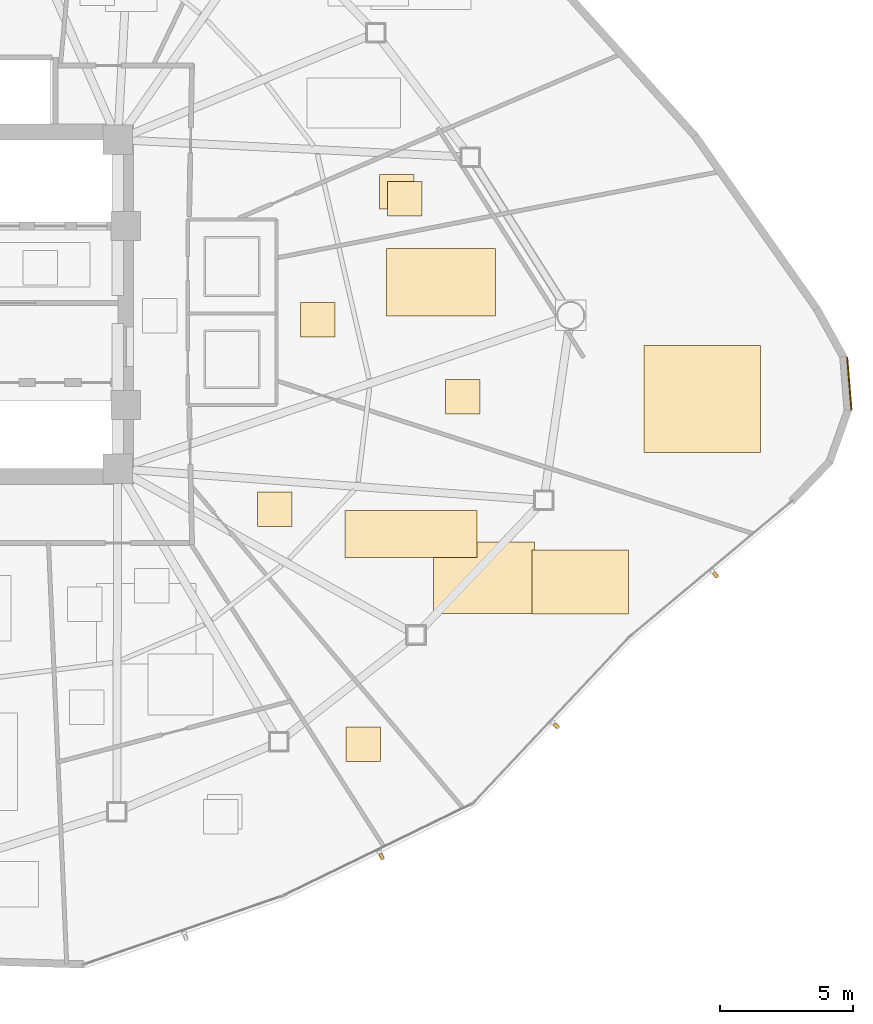
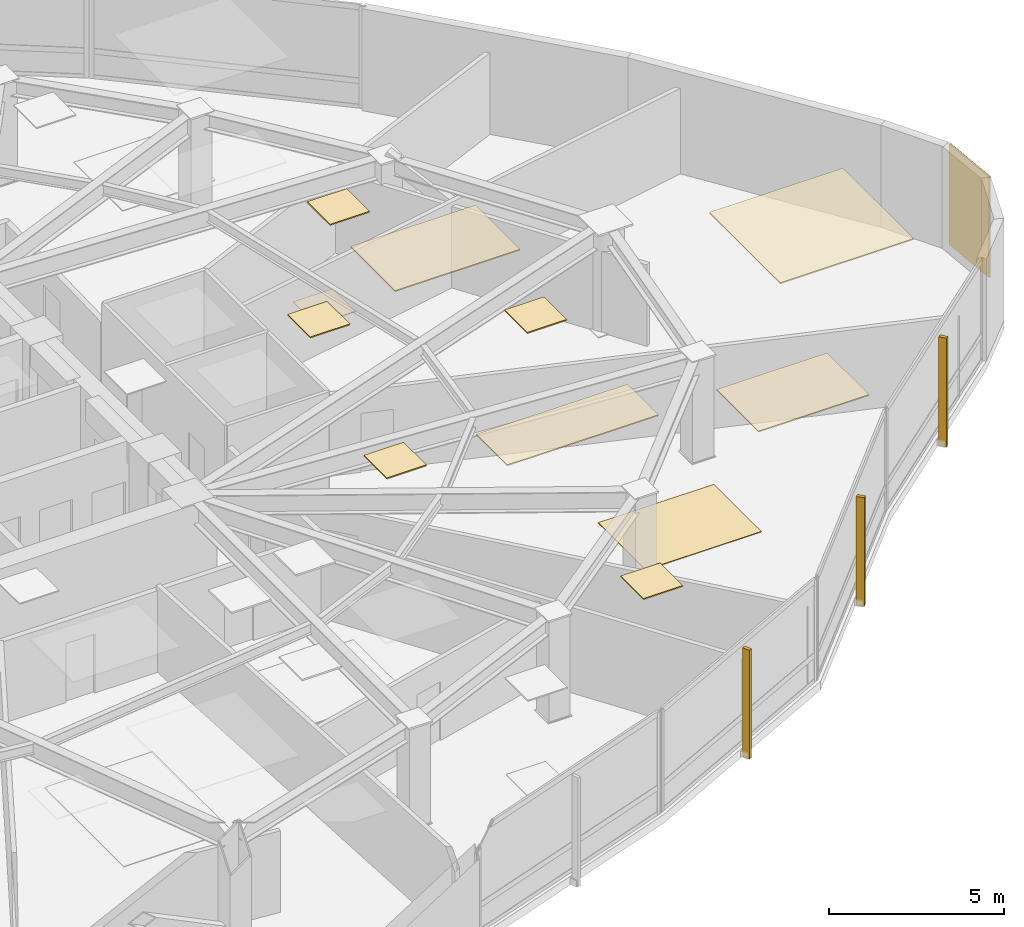
# One storey, part 16 of 17: 12 coverings, 3 shading devices.
"""IFC4 building model written with IfcOpenShell, lengths in metres."""

from ifc_helpers import new_model, si_unit, direction, frame, origin, origin_2d, place, context, subcontext, project, spatial, polyline, rectangle, outline, extrude, source, transform, mapped, material, layer, layer_set, type_object, type_shapes, element, save


model = new_model("IFC4")

# Units and contexts
model_context = context("Model", 3, precision=1e-05, world=origin(), true_north=direction((0.0, 1.0)))
body_context = subcontext(model_context, "Body", "Model", "MODEL_VIEW")
ifc_project = project(units=[si_unit("LENGTHUNIT", "METRE"), si_unit("AREAUNIT", "SQUARE_METRE"), si_unit("VOLUMEUNIT", "CUBIC_METRE"), si_unit("PLANEANGLEUNIT", "RADIAN"), si_unit("MASSUNIT", "GRAM", prefix="KILO")], contexts=[model_context])

# Site, building, storey
site_placement = place(None, origin())
site = spatial("IfcSite", under=ifc_project, at=site_placement, CompositionType="ELEMENT")
building_placement = place(site_placement, origin())
building = spatial("IfcBuilding", under=site, at=building_placement, Name="Tavelor Broadcast Tower", CompositionType="ELEMENT")
storey_placement = place(building_placement, frame((0.0, 0.0, 127.14990234375)))
storey = spatial("IfcBuildingStorey", under=building, at=storey_placement, Name="L29", CompositionType="ELEMENT", Elevation=127.14990234375)

# Coverings
ifc_material_1 = material(Name="Copper-Bronze Anodized Aluminium", Category="aluminium")
ifc_layer_1 = layer(ifc_material_1, 0.050048828125)
ifc_layer_set_1 = layer_set([ifc_layer_1], Name="Copper-Bronze Anodized Aluminium")
covering_type_1 = type_object("IfcCoveringType", Name="Champagne-Bronze Corner Pier Metal Cladding 50 mm", PredefinedType="CLADDING", material=ifc_layer_set_1)
covering_1_placement = place(storey_placement, frame((84.175537109375, 42.00927734375, 0.02001953125), z_axis=(0.0, 0.0, 1.0), x_axis=(-0.081068747348, 0.996708512156, 0.0)))
element("IfcCovering", 1, at=covering_1_placement, inside=storey, type_object=covering_type_1, Name="L29 Champagne-Bronze Corner Cladding 23", PredefinedType="CLADDING", context=body_context, shape_type="SweptSolid", body=[
    extrude(rectangle(XDim=1.998291015625, YDim=0.050048828125, at=origin_2d()), origin(), (0.0, 0.0, 1.0), 3.510009765625),
])
ifc_material_2 = material(Name="Acoustic Nylon Carpet Tile")
ifc_layer_2 = layer(ifc_material_2, 0.02001953125)
ifc_layer_set_2 = layer_set([ifc_layer_2], Name="Acoustic Nylon Carpet Tile")
covering_type_2 = type_object("IfcCoveringType", Name="Heavy-Duty Acoustic Broadcast Carpet Tile 20 mm", PredefinedType="FLOORING", material=ifc_layer_set_2)
covering_2_placement = place(storey_placement, origin())
element("IfcCovering", 2, at=covering_2_placement, inside=storey, type_object=covering_type_2, Name="L29 Broadcast Floor Finish 0406", PredefinedType="FLOORING", context=body_context, shape_type="SweptSolid", body=[
    extrude(outline(polyline([(68.5009765625, 33.3359375), (72.312255859375, 33.3359375), (72.312255859375, 36.04638671875), (68.5009765625, 36.04638671875), (68.5009765625, 33.3359375)])), origin(), (0.0, 0.0, 1.0), 0.02001953125),
])
covering_3_placement = place(storey_placement, origin())
element("IfcCovering", 3, at=covering_3_placement, inside=storey, type_object=covering_type_2, Name="L29 Broadcast Floor Finish 0415", PredefinedType="FLOORING", context=body_context, shape_type="SweptSolid", body=[
    extrude(outline(polyline([(66.4609375, 48.597412109375), (67.760986328125, 48.597412109375), (67.760986328125, 49.8974609375), (66.4609375, 49.8974609375), (66.4609375, 48.597412109375)])), origin(), (0.0, 0.0, 1.0), 0.02001953125),
])
ifc_material_3 = material(Name="Acoustic Mineral Fibre Tile")
ifc_layer_3 = layer(ifc_material_3, 0.0400390625)
ifc_layer_set_3 = layer_set([ifc_layer_3], Name="Acoustic Mineral Fibre Tile")
covering_type_3 = type_object("IfcCoveringType", Name="Suspended Acoustic Mineral-Fibre Office Ceiling 40 mm", PredefinedType="CEILING", material=ifc_layer_set_3)
covering_4_placement = place(storey_placement, frame((0.0, 0.0, 3.510009765625)))
element("IfcCovering", 4, at=covering_4_placement, inside=storey, type_object=covering_type_3, Name="L29 Suspended Acoustic Ceiling 1149", PredefinedType="CEILING", context=body_context, shape_type="SweptSolid", body=[
    extrude(outline(polyline([(72.212890625, 33.330322265625), (75.851806640625, 33.330322265625), (75.851806640625, 35.72802734375), (72.212890625, 35.72802734375), (72.212890625, 33.330322265625)])), origin(), (0.0, 0.0, 1.0), 0.0400390625),
])
covering_5_placement = place(storey_placement, frame((0.0, 0.0, 3.510009765625)))
element("IfcCovering", 5, at=covering_5_placement, inside=storey, type_object=covering_type_3, Name="L29 Suspended Acoustic Ceiling 1150", PredefinedType="CEILING", context=body_context, shape_type="SweptSolid", body=[
    extrude(outline(polyline([(61.876708984375, 36.61474609375), (63.1767578125, 36.61474609375), (63.1767578125, 37.914794921875), (61.876708984375, 37.914794921875), (61.876708984375, 36.61474609375)])), origin(), (0.0, 0.0, 1.0), 0.0400390625),
])
covering_6_placement = place(storey_placement, frame((0.0, 0.0, 3.510009765625)))
element("IfcCovering", 6, at=covering_6_placement, inside=storey, type_object=covering_type_3, Name="L29 Suspended Acoustic Ceiling 1151", PredefinedType="CEILING", context=body_context, shape_type="SweptSolid", body=[
    extrude(outline(polyline([(65.16943359375, 35.458740234375), (70.1474609375, 35.458740234375), (70.1474609375, 37.224853515625), (65.16943359375, 37.224853515625), (65.16943359375, 35.458740234375)])), origin(), (0.0, 0.0, 1.0), 0.0400390625),
])
covering_7_placement = place(storey_placement, frame((0.0, 0.0, 3.510009765625)))
element("IfcCovering", 7, at=covering_7_placement, inside=storey, type_object=covering_type_3, Name="L29 Suspended Acoustic Ceiling 1152", PredefinedType="CEILING", context=body_context, shape_type="SweptSolid", body=[
    extrude(outline(polyline([(65.210693359375, 27.764892578125), (66.510498046875, 27.764892578125), (66.510498046875, 29.06494140625), (65.210693359375, 29.06494140625), (65.210693359375, 27.764892578125)])), origin(), (0.0, 0.0, 1.0), 0.0400390625),
])
covering_8_placement = place(storey_placement, frame((0.0, 0.0, 3.510009765625)))
element("IfcCovering", 8, at=covering_8_placement, inside=storey, type_object=covering_type_3, Name="L29 Suspended Acoustic Ceiling 1175", PredefinedType="CEILING", context=body_context, shape_type="SweptSolid", body=[
    extrude(outline(polyline([(66.7724609375, 48.334716796875), (68.072509765625, 48.334716796875), (68.072509765625, 49.634765625), (66.7724609375, 49.634765625), (66.7724609375, 48.334716796875)])), origin(), (0.0, 0.0, 1.0), 0.0400390625),
])
covering_9_placement = place(storey_placement, frame((0.0, 0.0, 3.510009765625)))
element("IfcCovering", 9, at=covering_9_placement, inside=storey, type_object=covering_type_3, Name="L29 Suspended Acoustic Ceiling 1176", PredefinedType="CEILING", context=body_context, shape_type="SweptSolid", body=[
    extrude(outline(polyline([(76.434326171875, 39.4052734375), (80.828125, 39.4052734375), (80.828125, 43.45361328125), (76.434326171875, 43.45361328125), (76.434326171875, 39.4052734375)])), origin(), (0.0, 0.0, 1.0), 0.0400390625),
])
covering_10_placement = place(storey_placement, frame((0.0, 0.0, 3.510009765625)))
element("IfcCovering", 10, at=covering_10_placement, inside=storey, type_object=covering_type_3, Name="L29 Suspended Acoustic Ceiling 1177", PredefinedType="CEILING", context=body_context, shape_type="SweptSolid", body=[
    extrude(outline(polyline([(68.95703125, 40.87060546875), (70.257080078125, 40.87060546875), (70.257080078125, 42.170654296875), (68.95703125, 42.170654296875), (68.95703125, 40.87060546875)])), origin(), (0.0, 0.0, 1.0), 0.0400390625),
])
covering_11_placement = place(storey_placement, frame((0.0, 0.0, 3.510009765625)))
element("IfcCovering", 11, at=covering_11_placement, inside=storey, type_object=covering_type_3, Name="L29 Suspended Acoustic Ceiling 1178", PredefinedType="CEILING", context=body_context, shape_type="SweptSolid", body=[
    extrude(outline(polyline([(63.4912109375, 43.768310546875), (64.791259765625, 43.768310546875), (64.791259765625, 45.068359375), (63.4912109375, 45.068359375), (63.4912109375, 43.768310546875)])), origin(), (0.0, 0.0, 1.0), 0.0400390625),
])
covering_12_placement = place(storey_placement, frame((0.0, 0.0, 3.510009765625)))
element("IfcCovering", 12, at=covering_12_placement, inside=storey, type_object=covering_type_3, Name="L29 Suspended Acoustic Ceiling 1179", PredefinedType="CEILING", context=body_context, shape_type="SweptSolid", body=[
    extrude(outline(polyline([(66.7314453125, 44.553955078125), (70.84765625, 44.553955078125), (70.84765625, 47.096435546875), (66.7314453125, 47.096435546875), (66.7314453125, 44.553955078125)])), origin(), (0.0, 0.0, 1.0), 0.0400390625),
])

# Shading devices
ifc_material_4 = material(Name="Kiln-Fired Glazed Terracotta", Category="masonry")
shading_device_type = type_object("IfcShadingDeviceType", Name="Extruded Terracotta Baguette Sun-Screen 110x240", PredefinedType="JALOUSIE", material=ifc_material_4)
shared_shape = source(origin(), body_context, "Body", "SweptSolid", [
    extrude(rectangle(XDim=0.110107421875, YDim=0.239990234375, at=origin_2d()), origin(), (0.0, 0.0, 1.0), 3.7900390625),
])
type_shapes(shading_device_type, [shared_shape])
for number, where, z_axis, x_axis, name in (
    (13, (66.548583984375, 24.181396484375, -0.260009765625), (0.0, 0.0, 1.0), (0.898947011936, 0.43805738178, 0.0), "L29 Terracotta Baguette Fin 282"),
    (14, (73.135498046875, 29.10546875, -0.260009765625), (0.0, 0.0, 1.0), (0.684674324529, 0.72884914031, 0.0), "L29 Terracotta Baguette Fin 283"),
    (15, (79.136474609375, 34.793212890625, -0.260009765625), (0.0, 0.0, 1.0), (0.767389013234, 0.641181801339, 0.0), "L29 Terracotta Baguette Fin 284"),
):
    element("IfcShadingDevice", number, at=place(storey_placement, frame(where, z_axis=z_axis, x_axis=x_axis)), inside=storey, type_object=shading_device_type, Name=name, PredefinedType="JALOUSIE", context=body_context, shape_type="MappedRepresentation", body=[
        mapped(shared_shape, transform((0.0, 0.0, 0.0), scale=1.0)),
    ])

save(model, "model.ifc")
